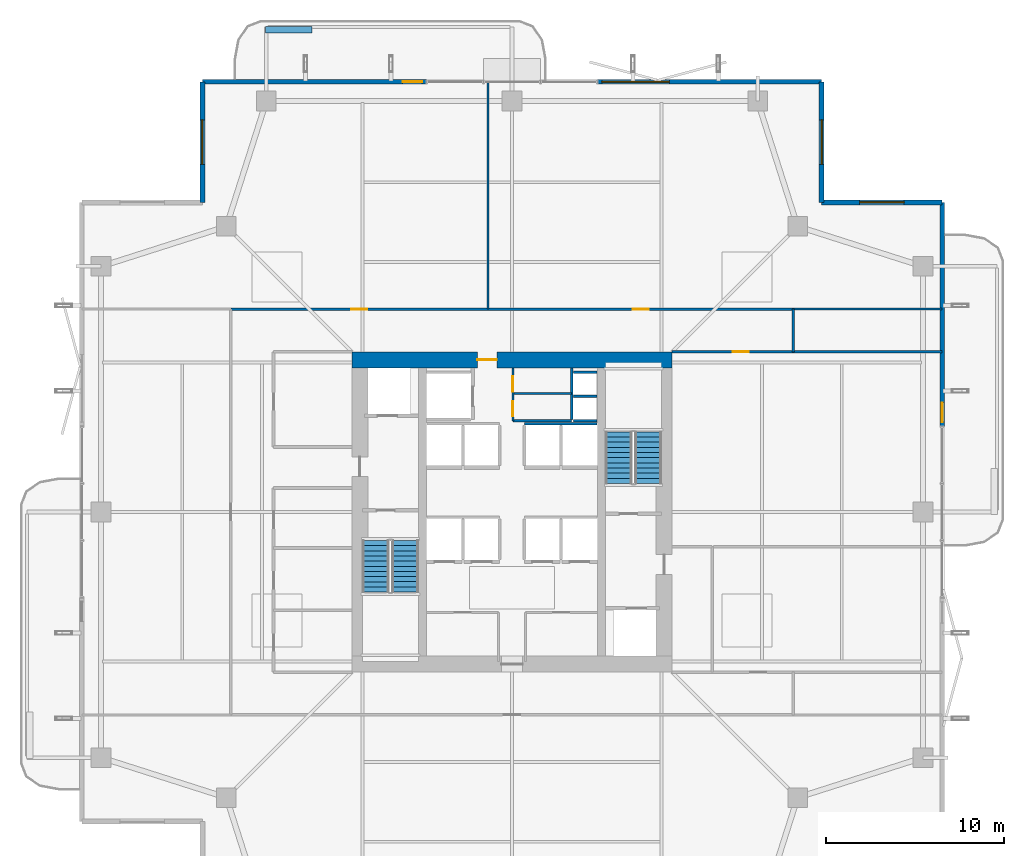
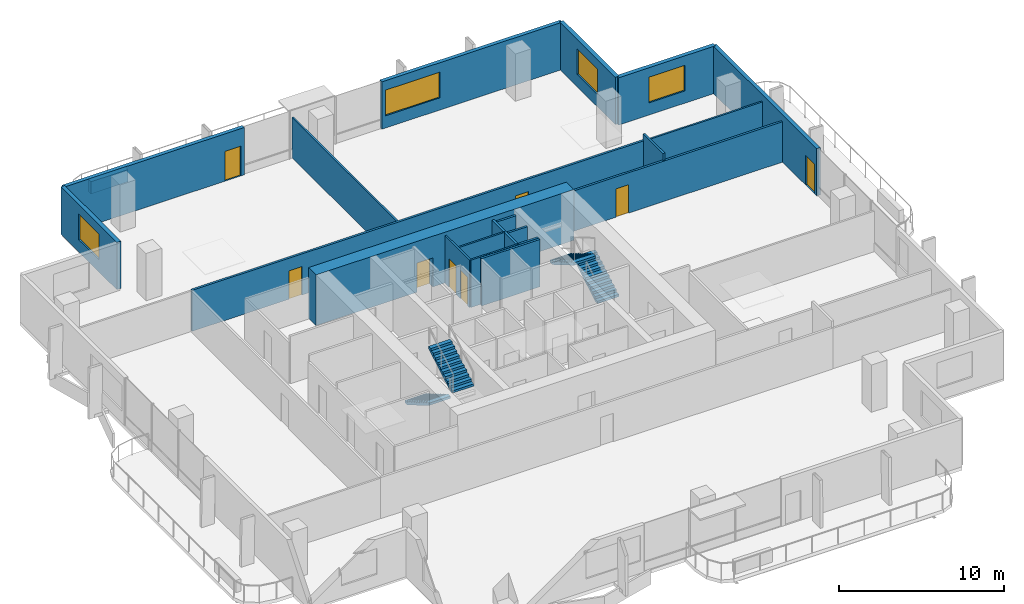
# One storey, part 20 of 25: 21 walls, 8 doors, 4 stair flights, 4 windows, 12 openings, 2 elements without a shape of their own.
"""IFC4 building model written with IfcOpenShell, lengths in metres."""

from ifc_helpers import new_model, si_unit, direction, frame, frame_2d, origin, place, context, subcontext, project, spatial, polyline, rectangle, outline, extrude, material, layer, layer_set, type_object, element, fill, aggregate, save


model = new_model("IFC4")

# Units and contexts
model_context = context("Model", 3, precision=1e-05, world=origin(), true_north=direction((0.0, 1.0)))
body_context = subcontext(model_context, "Body", "Model", "MODEL_VIEW")
ifc_project = project(units=[si_unit("LENGTHUNIT", "METRE"), si_unit("AREAUNIT", "SQUARE_METRE"), si_unit("VOLUMEUNIT", "CUBIC_METRE"), si_unit("PLANEANGLEUNIT", "RADIAN"), si_unit("MASSUNIT", "GRAM", prefix="KILO")], contexts=[model_context])

# Site, building, storey
site_placement = place(None, origin())
site = spatial("IfcSite", under=ifc_project, at=site_placement, CompositionType="ELEMENT")
building_placement = place(site_placement, origin())
building = spatial("IfcBuilding", under=site, at=building_placement, Name="Belovzor Exchange Tower", CompositionType="ELEMENT")
storey_placement = place(building_placement, frame((0.0, 0.0, 175.800048828125)))
storey = spatial("IfcBuildingStorey", under=building, at=storey_placement, Name="L43", CompositionType="ELEMENT", Elevation=175.800048828125)

# Walls
ifc_material_1 = material(Name="Acoustic Plasterboard on Galvanised Studs", Category="gypsum")
ifc_layer_1 = layer(ifc_material_1, 0.1201171875)
ifc_layer_set_1 = layer_set([ifc_layer_1], Name="Acoustic Plasterboard on Galvanised Studs")
wall_type_1 = type_object("IfcWallType", Name="Acoustic Double-Stud Partition Wall 120", PredefinedType="PARTITIONING", material=ifc_layer_set_1)
wall_1_placement = place(storey_placement, frame((27.449951171875, 40.199951171875, 0.0), z_axis=(0.0, 0.0, 1.0), x_axis=(0.0, 1.0, 0.0)))
element("IfcWall", 1, at=wall_1_placement, inside=storey, type_object=wall_type_1, Name="W-P120 Partition Wall W-L43-NDIV-1", PredefinedType="PARTITIONING", context=body_context, shape_type="SweptSolid", body=[
    extrude(rectangle(XDim=12.77001953125, YDim=0.1201171875, at=frame_2d((6.385009765625, 0.0))), origin(), (0.0, 0.0, 1.0), 2.97998046875),
])
wall_2_placement = place(storey_placement, frame((44.60009765625, 40.199951171875, 0.0), z_axis=(0.0, 0.0, 1.0), x_axis=(1.0, 0.0, 0.0)))
element("IfcWall", 2, at=wall_2_placement, inside=storey, type_object=wall_type_1, Name="W-P120 Partition Wall W-L43-END-NE", PredefinedType="PARTITIONING", context=body_context, shape_type="SweptSolid", body=[
    extrude(rectangle(XDim=8.369873046875, YDim=0.1201171875, at=frame_2d((4.18505859375, 0.0))), origin(), (0.0, 0.0, 1.0), 2.97998046875),
])

# Wall, openings, doors
ifc_material_2 = material(Name="Fire-Rated Plasterboard on Galvanised Studs", Category="gypsum")
ifc_layer_2 = layer(ifc_material_2, 0.1201171875)
ifc_layer_set_2 = layer_set([ifc_layer_2], Name="Fire-Rated Plasterboard on Galvanised Studs")
wall_type_2 = type_object("IfcWallType", Name="Fire-Rated Double-Stud Partition Wall 120", PredefinedType="PARTITIONING", material=ifc_layer_set_2)
wall_3_placement = place(storey_placement, frame((28.85009765625, 33.925048828125, 0.0), z_axis=(0.0, 0.0, 1.0), x_axis=(0.0, 1.0, 0.0)))
wall_3 = element("IfcWall", 3, at=wall_3_placement, inside=storey, type_object=wall_type_2, Name="W-P120F Partition Wall W-CRV-L43-W", PredefinedType="PARTITIONING", context=body_context, shape_type="SweptSolid", body=[
    extrude(rectangle(XDim=2.974853515625, YDim=0.1201171875, at=frame_2d((1.4873046875, 0.0))), origin(), (0.0, 0.0, 1.0), 3.494873046875),
])
opening_1_placement = place(wall_3_placement, frame((0.25, 0.0, 0.0)))
opening_1 = element("IfcOpeningElement", 4, at=opening_1_placement, cuts=wall_3, Name="Opening D-FD60-085", PredefinedType="OPENING", context=body_context, shape_type="SweptSolid", body=[
    extrude(rectangle(XDim=0.85009765625, YDim=2.10009765625, at=frame_2d((0.425048828125, 1.050048828125))), frame((0.0, 0.070068359375, 0.0), z_axis=(0.0, -1.0, 0.0), x_axis=(1.0, 0.0, 0.0)), (0.0, 0.0, 1.0), 0.14013671875),
])
opening_2_placement = place(wall_3_placement, frame((1.64501953125, 0.0, 0.0)))
opening_2 = element("IfcOpeningElement", 5, at=opening_2_placement, cuts=wall_3, Name="Opening D-FD60-085", PredefinedType="OPENING", context=body_context, shape_type="SweptSolid", body=[
    extrude(rectangle(XDim=0.85009765625, YDim=2.10009765625, at=frame_2d((0.425048828125, 1.050048828125))), frame((0.0, 0.070068359375, 0.0), z_axis=(0.0, -1.0, 0.0), x_axis=(1.0, 0.0, 0.0)), (0.0, 0.0, 1.0), 0.14013671875),
])
ifc_material_3 = material(Name="Fire-Rated Steel Access Leaf", Category="steel")
door_type_1 = type_object("IfcDoorType", Name="Riser & Meter Closet Access Fire Door 850x2100", OperationType="NOTDEFINED", PredefinedType="DOOR", material=ifc_material_3)
door_1_placement = place(opening_1_placement, origin())
door_1 = element("IfcDoor", 6, at=door_1_placement, inside=storey, type_object=door_type_1, Name="D-FD60-085 Riser & Meter Closet Access Fire Door 850x2100", OperationType="SINGLE_SWING_LEFT", OverallHeight=2.10009765625, OverallWidth=0.85009765625, PredefinedType="DOOR", context=body_context, shape_type="SweptSolid", body=[
    extrude(rectangle(XDim=0.85009765625, YDim=2.10009765625, at=frame_2d((0.425048828125, 1.050048828125))), frame((0.0, 0.02490234375, 0.0), z_axis=(0.0, -1.0, 0.0), x_axis=(1.0, 0.0, 0.0)), (0.0, 0.0, 1.0), 0.050048828125),
])
fill(opening_1, door_1)
door_2_placement = place(opening_2_placement, origin())
door_2 = element("IfcDoor", 7, at=door_2_placement, inside=storey, type_object=door_type_1, Name="D-FD60-085 Riser & Meter Closet Access Fire Door 850x2100", OperationType="SINGLE_SWING_RIGHT", OverallHeight=2.10009765625, OverallWidth=0.85009765625, PredefinedType="DOOR", context=body_context, shape_type="SweptSolid", body=[
    extrude(rectangle(XDim=0.85009765625, YDim=2.10009765625, at=frame_2d((0.425048828125, 1.050048828125))), frame((0.0, 0.02490234375, 0.0), z_axis=(0.0, -1.0, 0.0), x_axis=(1.0, 0.0, 0.0)), (0.0, 0.0, 1.0), 0.050048828125),
])
fill(opening_2, door_2)

# Walls
for number, where, z_axis, x_axis, name in (
    (8, (28.85009765625, 35.449951171875, 0.0), (0.0, 0.0, 1.0), (1.0, 0.0, 0.0), "W-P120F Partition Wall W-CRV-L43-M"),
    (9, (28.85009765625, 33.925048828125, 0.0), (0.0, 0.0, 1.0), (1.0, 0.0, 0.0), "W-P120F Partition Wall W-CRV-L43-S"),
):
    element("IfcWall", number, at=place(storey_placement, frame(where, z_axis=z_axis, x_axis=x_axis)), inside=storey, type_object=wall_type_2, Name=name, PredefinedType="PARTITIONING", context=body_context, shape_type="SweptSolid", body=[
        extrude(rectangle(XDim=3.2998046875, YDim=0.1201171875, at=frame_2d((1.64990234375, 0.0))), origin(), (0.0, 0.0, 1.0), 3.494873046875),
    ])
ifc_material_4 = material(Name="Fire-Rated Gypsum Block and Mineral Wool", Category="gypsum")
ifc_layer_3 = layer(ifc_material_4, 0.14990234375)
ifc_layer_set_3 = layer_set([ifc_layer_3], Name="Fire-Rated Gypsum Block and Mineral Wool")
wall_type_3 = type_object("IfcWallType", Name="Fire-Rated Gypsum Block Corridor Wall 150", PredefinedType="PARTITIONING", material=ifc_layer_set_3)
wall_4_placement = place(storey_placement, frame((44.60009765625, 37.800048828125, 0.0), z_axis=(0.0, 0.0, 1.0), x_axis=(0.0, 1.0, 0.0)))
element("IfcWall", 10, at=wall_4_placement, inside=storey, type_object=wall_type_3, Name="W-P150 Partition Wall W-L43-END-EN", PredefinedType="PARTITIONING", context=body_context, shape_type="SweptSolid", body=[
    extrude(rectangle(XDim=2.39990234375, YDim=0.14990234375, at=frame_2d((1.199951171875, 0.0))), origin(), (0.0, 0.0, 1.0), 3.494873046875),
])

# Wall, opening, door
wall_5_placement = place(storey_placement, frame((37.800048828125, 37.800048828125, 0.0), z_axis=(0.0, 0.0, 1.0), x_axis=(1.0, 0.0, 0.0)))
wall_5 = element("IfcWall", 11, at=wall_5_placement, inside=storey, type_object=wall_type_3, Name="W-P150 Partition Wall W-L43-CN-IN", PredefinedType="PARTITIONING", context=body_context, shape_type="SweptSolid", body=[
    extrude(rectangle(XDim=15.169921875, YDim=0.14990234375, at=frame_2d((7.5849609375, 0.0))), origin(), (0.0, 0.0, 1.0), 2.97998046875),
])
opening_3_placement = place(wall_5_placement, frame((3.39990234375, 0.0, 0.0)))
opening_3 = element("IfcOpeningElement", 12, at=opening_3_placement, cuts=wall_5, Name="Opening D-INT-090", PredefinedType="OPENING", context=body_context, shape_type="SweptSolid", body=[
    extrude(rectangle(XDim=0.89990234375, YDim=2.10009765625, at=frame_2d((0.449951171875, 1.050048828125))), frame((0.0, 0.0849609375, 0.0), z_axis=(0.0, -1.0, 0.0), x_axis=(1.0, 0.0, 0.0)), (0.0, 0.0, 1.0), 0.169921875),
])
ifc_material_5 = material(Name="Veneered Hardwood Acoustic Leaf", Category="wood")
door_type_2 = type_object("IfcDoorType", Name="Trading Suite Acoustic Single Door 900x2100", OperationType="NOTDEFINED", PredefinedType="DOOR", material=ifc_material_5)
door_3_placement = place(opening_3_placement, origin())
door_3 = element("IfcDoor", 13, at=door_3_placement, inside=storey, type_object=door_type_2, Name="D-INT-090 Trading Suite Acoustic Single Door 900x2100", OperationType="SINGLE_SWING_RIGHT", OverallHeight=2.10009765625, OverallWidth=0.89990234375, PredefinedType="DOOR", context=body_context, shape_type="SweptSolid", body=[
    extrude(rectangle(XDim=0.89990234375, YDim=2.10009765625, at=frame_2d((0.449951171875, 1.050048828125))), frame((0.0, 0.02490234375, 0.0), z_axis=(0.0, -1.0, 0.0), x_axis=(1.0, 0.0, 0.0)), (0.0, 0.0, 1.0), 0.050048828125),
])
fill(opening_3, door_3)

# Wall, openings, doors
wall_6_placement = place(storey_placement, frame((13.0, 40.199951171875, 0.0), z_axis=(0.0, 0.0, 1.0), x_axis=(1.0, 0.0, 0.0)))
wall_6 = element("IfcWall", 14, at=wall_6_placement, inside=storey, type_object=wall_type_3, Name="W-P150 Partition Wall W-L43-CN", PredefinedType="PARTITIONING", context=body_context, shape_type="SweptSolid", body=[
    extrude(rectangle(XDim=31.60009765625, YDim=0.14990234375, at=frame_2d((15.800048828125, 0.0))), origin(), (0.0, 0.0, 1.0), 3.030029296875),
])
opening_4_placement = place(wall_6_placement, frame((6.77490234375, 0.0, 0.0)))
opening_4 = element("IfcOpeningElement", 15, at=opening_4_placement, cuts=wall_6, Name="Opening D-INT-090", PredefinedType="OPENING", context=body_context, shape_type="SweptSolid", body=[
    extrude(rectangle(XDim=0.89990234375, YDim=2.10009765625, at=frame_2d((0.449951171875, 1.050048828125))), frame((0.0, 0.0849609375, 0.0), z_axis=(0.0, -1.0, 0.0), x_axis=(1.0, 0.0, 0.0)), (0.0, 0.0, 1.0), 0.169921875),
])
opening_5_placement = place(wall_6_placement, frame((22.574951171875, 0.0, 0.0)))
opening_5 = element("IfcOpeningElement", 16, at=opening_5_placement, cuts=wall_6, Name="Opening D-INT-090", PredefinedType="OPENING", context=body_context, shape_type="SweptSolid", body=[
    extrude(rectangle(XDim=0.89990234375, YDim=2.10009765625, at=frame_2d((0.449951171875, 1.050048828125))), frame((0.0, 0.0849609375, 0.0), z_axis=(0.0, -1.0, 0.0), x_axis=(1.0, 0.0, 0.0)), (0.0, 0.0, 1.0), 0.169921875),
])
door_4_placement = place(opening_4_placement, origin())
door_4 = element("IfcDoor", 17, at=door_4_placement, inside=storey, type_object=door_type_2, Name="D-INT-090 Trading Suite Acoustic Single Door 900x2100", OperationType="SINGLE_SWING_RIGHT", OverallHeight=2.10009765625, OverallWidth=0.89990234375, PredefinedType="DOOR", context=body_context, shape_type="SweptSolid", body=[
    extrude(rectangle(XDim=0.89990234375, YDim=2.10009765625, at=frame_2d((0.449951171875, 1.050048828125))), frame((0.0, 0.02490234375, 0.0), z_axis=(0.0, -1.0, 0.0), x_axis=(1.0, 0.0, 0.0)), (0.0, 0.0, 1.0), 0.050048828125),
])
fill(opening_4, door_4)
door_5_placement = place(opening_5_placement, origin())
door_5 = element("IfcDoor", 18, at=door_5_placement, inside=storey, type_object=door_type_2, Name="D-INT-090 Trading Suite Acoustic Single Door 900x2100", OperationType="SINGLE_SWING_LEFT", OverallHeight=2.10009765625, OverallWidth=0.89990234375, PredefinedType="DOOR", context=body_context, shape_type="SweptSolid", body=[
    extrude(rectangle(XDim=0.89990234375, YDim=2.10009765625, at=frame_2d((0.449951171875, 1.050048828125))), frame((0.0, 0.02490234375, 0.0), z_axis=(0.0, -1.0, 0.0), x_axis=(1.0, 0.0, 0.0)), (0.0, 0.0, 1.0), 0.050048828125),
])
fill(opening_5, door_5)

# Wall, opening, window
ifc_material_6 = material(Name="Precast concrete C40/50", Category="concrete")
ifc_layer_4 = layer(ifc_material_6, 0.280029296875)
ifc_layer_set_4 = layer_set([ifc_layer_4], Name="Precast concrete C40/50")
wall_type_4 = type_object("IfcWallType", Name="Precast Concrete Notched Corner Frame Wall 280", PredefinedType="SOLIDWALL", material=ifc_layer_set_4)
wall_7_placement = place(storey_placement, frame((11.39990234375, 46.199951171875, 0.0), z_axis=(0.0, 0.0, 1.0), x_axis=(0.0, 1.0, 0.0)))
wall_7 = element("IfcWall", 19, at=wall_7_placement, inside=storey, type_object=wall_type_4, Name="W-CRN280 Precast Concrete Notched Corner Frame Wall 280 L43", PredefinedType="SOLIDWALL", context=body_context, shape_type="SweptSolid", body=[
    extrude(rectangle(XDim=6.77001953125, YDim=0.280029296875, at=frame_2d((3.385009765625, 0.0))), origin(), (0.0, 0.0, 1.0), 3.494873046875),
])
opening_6_placement = place(wall_7_placement, frame((2.135009765625, 0.0, 0.89990234375)))
opening_6 = element("IfcOpeningElement", 20, at=opening_6_placement, cuts=wall_7, Name="Opening WN-CRN250", PredefinedType="OPENING", context=body_context, shape_type="SweptSolid", body=[
    extrude(rectangle(XDim=2.5, YDim=1.89990234375, at=frame_2d((1.25, 0.949951171875))), frame((0.0, 0.14990234375, 0.0), z_axis=(0.0, -1.0, 0.0), x_axis=(1.0, 0.0, 0.0)), (0.0, 0.0, 1.0), 0.300048828125),
])
ifc_material_7 = material(Name="Thermally Broken Aluminium and Triple Glazing", Category="aluminium")
window_type_1 = type_object("IfcWindowType", Name="Streamline Moderne Corner Wrap Ribbon Window 2500x1900", PartitioningType="SINGLE_PANEL", PredefinedType="WINDOW", material=ifc_material_7)
window_1_placement = place(opening_6_placement, origin())
window_1 = element("IfcWindow", 21, at=window_1_placement, inside=storey, type_object=window_type_1, Name="WN-CRN250 Streamline Moderne Corner Wrap Ribbon Window 2500x1900", OverallHeight=1.89990234375, OverallWidth=2.5, PartitioningType="SINGLE_PANEL", PredefinedType="WINDOW", context=body_context, shape_type="SweptSolid", body=[
    extrude(rectangle(XDim=2.5, YDim=1.89990234375, at=frame_2d((1.25, 0.949951171875))), frame((0.0, 0.030029296875, 0.0), z_axis=(0.0, -1.0, 0.0), x_axis=(1.0, 0.0, 0.0)), (0.0, 0.0, 1.0), 0.06005859375),
])
fill(opening_6, window_1)

wall_8_placement = place(storey_placement, frame((46.199951171875, 52.969970703125, 0.0), z_axis=(0.0, 0.0, 1.0), x_axis=(0.0, -1.0, 0.0)))
wall_8 = element("IfcWall", 22, at=wall_8_placement, inside=storey, type_object=wall_type_4, Name="W-CRN280 Precast Concrete Notched Corner Frame Wall 280 L43", PredefinedType="SOLIDWALL", context=body_context, shape_type="SweptSolid", body=[
    extrude(rectangle(XDim=6.77001953125, YDim=0.280029296875, at=frame_2d((3.385009765625, 0.0))), origin(), (0.0, 0.0, 1.0), 3.494873046875),
])
opening_7_placement = place(wall_8_placement, frame((2.135009765625, 0.0, 0.89990234375)))
opening_7 = element("IfcOpeningElement", 23, at=opening_7_placement, cuts=wall_8, Name="Opening WN-CRN250", PredefinedType="OPENING", context=body_context, shape_type="SweptSolid", body=[
    extrude(rectangle(XDim=2.5, YDim=1.89990234375, at=frame_2d((1.25, 0.949951171875))), frame((0.0, 0.14990234375, 0.0), z_axis=(0.0, -1.0, 0.0), x_axis=(1.0, 0.0, 0.0)), (0.0, 0.0, 1.0), 0.300048828125),
])
window_2_placement = place(opening_7_placement, origin())
window_2 = element("IfcWindow", 24, at=window_2_placement, inside=storey, type_object=window_type_1, Name="WN-CRN250 Streamline Moderne Corner Wrap Ribbon Window 2500x1900", OverallHeight=1.89990234375, OverallWidth=2.5, PartitioningType="SINGLE_PANEL", PredefinedType="WINDOW", context=body_context, shape_type="SweptSolid", body=[
    extrude(rectangle(XDim=2.5, YDim=1.89990234375, at=frame_2d((1.25, 0.949951171875))), frame((0.0, 0.030029296875, 0.0), z_axis=(0.0, -1.0, 0.0), x_axis=(1.0, 0.0, 0.0)), (0.0, 0.0, 1.0), 0.06005859375),
])
fill(opening_7, window_2)

wall_9_placement = place(storey_placement, frame((46.199951171875, 46.199951171875, 0.0), z_axis=(0.0, 0.0, 1.0), x_axis=(1.0, 0.0, 0.0)))
wall_9 = element("IfcWall", 25, at=wall_9_placement, inside=storey, type_object=wall_type_4, Name="W-CRN280 Precast Concrete Notched Corner Frame Wall 280 L43", PredefinedType="SOLIDWALL", context=body_context, shape_type="SweptSolid", body=[
    extrude(rectangle(XDim=6.77001953125, YDim=0.280029296875, at=frame_2d((3.385009765625, 0.0))), origin(), (0.0, 0.0, 1.0), 3.494873046875),
])
opening_8_placement = place(wall_9_placement, frame((2.135009765625, 0.0, 0.89990234375)))
opening_8 = element("IfcOpeningElement", 26, at=opening_8_placement, cuts=wall_9, Name="Opening WN-CRN250", PredefinedType="OPENING", context=body_context, shape_type="SweptSolid", body=[
    extrude(rectangle(XDim=2.5, YDim=1.89990234375, at=frame_2d((1.25, 0.949951171875))), frame((0.0, 0.14990234375, 0.0), z_axis=(0.0, -1.0, 0.0), x_axis=(1.0, 0.0, 0.0)), (0.0, 0.0, 1.0), 0.300048828125),
])
window_3_placement = place(opening_8_placement, origin())
window_3 = element("IfcWindow", 27, at=window_3_placement, inside=storey, type_object=window_type_1, Name="WN-CRN250 Streamline Moderne Corner Wrap Ribbon Window 2500x1900", OverallHeight=1.89990234375, OverallWidth=2.5, PartitioningType="SINGLE_PANEL", PredefinedType="WINDOW", context=body_context, shape_type="SweptSolid", body=[
    extrude(rectangle(XDim=2.5, YDim=1.89990234375, at=frame_2d((1.25, 0.949951171875))), frame((0.0, 0.030029296875, 0.0), z_axis=(0.0, -1.0, 0.0), x_axis=(1.0, 0.0, 0.0)), (0.0, 0.0, 1.0), 0.06005859375),
])
fill(opening_8, window_3)

# Wall, opening, door
ifc_material_8 = material(Name="Precast concrete C40/50", Category="concrete")
ifc_layer_5 = layer(ifc_material_8, 0.260009765625)
ifc_layer_set_5 = layer_set([ifc_layer_5], Name="Precast concrete C40/50")
wall_type_5 = type_object("IfcWallType", Name="Precast Concrete Perimeter Loggia Frame Wall 260", PredefinedType="SOLIDWALL", material=ifc_layer_set_5)
wall_10_placement = place(storey_placement, frame((11.39990234375, 52.969970703125, 0.0), z_axis=(0.0, 0.0, 1.0), x_axis=(1.0, 0.0, 0.0)))
wall_10 = element("IfcWall", 28, at=wall_10_placement, inside=storey, type_object=wall_type_5, Name="W-EXT260 Precast Concrete Perimeter Loggia Frame Wall 260 L43", PredefinedType="SOLIDWALL", context=body_context, shape_type="SweptSolid", body=[
    extrude(rectangle(XDim=12.60009765625, YDim=0.260009765625, at=frame_2d((6.300048828125, 0.0))), origin(), (0.0, 0.0, 1.0), 3.494873046875),
])
opening_9_placement = place(wall_10_placement, frame((11.25, 0.0, 0.0)))
opening_9 = element("IfcOpeningElement", 29, at=opening_9_placement, cuts=wall_10, Name="Opening D-BAL110", PredefinedType="OPENING", context=body_context, shape_type="SweptSolid", body=[
    extrude(rectangle(XDim=1.10009765625, YDim=2.199951171875, at=frame_2d((0.550048828125, 1.10009765625))), frame((0.0, 0.139892578125, 0.0), z_axis=(0.0, -1.0, 0.0), x_axis=(1.0, 0.0, 0.0)), (0.0, 0.0, 1.0), 0.280029296875),
])
ifc_material_9 = material(Name="Thermally Broken Anodised Aluminium and Laminated Glass", Category="aluminium")
door_type_3 = type_object("IfcDoorType", Name="Planted Loggia Terrace Glazed Door 1100x2200", OperationType="SINGLE_SWING_LEFT", PredefinedType="DOOR", material=ifc_material_9)
door_6_placement = place(opening_9_placement, origin())
door_6 = element("IfcDoor", 30, at=door_6_placement, inside=storey, type_object=door_type_3, Name="D-BAL110 Balcony Terrace Door L43 N", OperationType="SINGLE_SWING_RIGHT", OverallHeight=2.199951171875, OverallWidth=1.10009765625, PredefinedType="DOOR", context=body_context, shape_type="SweptSolid", body=[
    extrude(rectangle(XDim=1.10009765625, YDim=2.199951171875, at=frame_2d((0.550048828125, 1.10009765625))), frame((0.0, 0.02490234375, 0.0), z_axis=(0.0, -1.0, 0.0), x_axis=(1.0, 0.0, 0.0)), (0.0, 0.0, 1.0), 0.050048828125),
])
fill(opening_9, door_6)

# Wall, opening, window
wall_11_placement = place(storey_placement, frame((33.60009765625, 52.969970703125, 0.0), z_axis=(0.0, 0.0, 1.0), x_axis=(1.0, 0.0, 0.0)))
wall_11 = element("IfcWall", 31, at=wall_11_placement, inside=storey, type_object=wall_type_5, Name="W-EXT260 Precast Concrete Perimeter Loggia Frame Wall 260 L43", PredefinedType="SOLIDWALL", context=body_context, shape_type="SweptSolid", body=[
    extrude(rectangle(XDim=12.599853515625, YDim=0.260009765625, at=frame_2d((6.2998046875, 0.0))), origin(), (0.0, 0.0, 1.0), 3.494873046875),
])
opening_10_placement = place(wall_11_placement, frame((0.25, 0.0, 0.89990234375)))
opening_10 = element("IfcOpeningElement", 32, at=opening_10_placement, cuts=wall_11, Name="Opening WN-RIB380", PredefinedType="OPENING", context=body_context, shape_type="SweptSolid", body=[
    extrude(rectangle(XDim=3.800048828125, YDim=1.89990234375, at=frame_2d((1.89990234375, 0.949951171875))), frame((0.0, 0.139892578125, 0.0), z_axis=(0.0, -1.0, 0.0), x_axis=(1.0, 0.0, 0.0)), (0.0, 0.0, 1.0), 0.280029296875),
])
ifc_material_10 = material(Name="Thermally Broken Aluminium and Triple Glazing", Category="aluminium")
window_type_2 = type_object("IfcWindowType", Name="Streamline Moderne Horizontal Ribbon Window 3800x1900", PartitioningType="SINGLE_PANEL", PredefinedType="WINDOW", material=ifc_material_10)
window_4_placement = place(opening_10_placement, origin())
window_4 = element("IfcWindow", 33, at=window_4_placement, inside=storey, type_object=window_type_2, Name="WN-RIB380 Streamline Moderne Horizontal Ribbon Window 3800x1900", OverallHeight=1.89990234375, OverallWidth=3.800048828125, PartitioningType="SINGLE_PANEL", PredefinedType="WINDOW", context=body_context, shape_type="SweptSolid", body=[
    extrude(rectangle(XDim=3.800048828125, YDim=1.89990234375, at=frame_2d((1.89990234375, 0.949951171875))), frame((0.0, 0.030029296875, 0.0), z_axis=(0.0, -1.0, 0.0), x_axis=(1.0, 0.0, 0.0)), (0.0, 0.0, 1.0), 0.06005859375),
])
fill(opening_10, window_4)

# Wall, opening, door
wall_12_placement = place(storey_placement, frame((52.969970703125, 46.199951171875, 0.0), z_axis=(0.0, 0.0, 1.0), x_axis=(0.0, -1.0, 0.0)))
wall_12 = element("IfcWall", 34, at=wall_12_placement, inside=storey, type_object=wall_type_5, Name="W-EXT260 Precast Concrete Perimeter Loggia Frame Wall 260 L43", PredefinedType="SOLIDWALL", context=body_context, shape_type="SweptSolid", body=[
    extrude(rectangle(XDim=12.599853515625, YDim=0.260009765625, at=frame_2d((6.2998046875, 0.0))), origin(), (0.0, 0.0, 1.0), 3.494873046875),
])
opening_11_placement = place(wall_12_placement, frame((11.25, 0.0, 0.0)))
opening_11 = element("IfcOpeningElement", 35, at=opening_11_placement, cuts=wall_12, Name="Opening D-BAL110", PredefinedType="OPENING", context=body_context, shape_type="SweptSolid", body=[
    extrude(rectangle(XDim=1.10009765625, YDim=2.199951171875, at=frame_2d((0.550048828125, 1.10009765625))), frame((0.0, 0.139892578125, 0.0), z_axis=(0.0, -1.0, 0.0), x_axis=(1.0, 0.0, 0.0)), (0.0, 0.0, 1.0), 0.280029296875),
])
door_7_placement = place(opening_11_placement, origin())
door_7 = element("IfcDoor", 36, at=door_7_placement, inside=storey, type_object=door_type_3, Name="D-BAL110 Balcony Terrace Door L43 E", OperationType="SINGLE_SWING_LEFT", OverallHeight=2.199951171875, OverallWidth=1.10009765625, PredefinedType="DOOR", context=body_context, shape_type="SweptSolid", body=[
    extrude(rectangle(XDim=1.10009765625, YDim=2.199951171875, at=frame_2d((0.550048828125, 1.10009765625))), frame((0.0, 0.02490234375, 0.0), z_axis=(0.0, -1.0, 0.0), x_axis=(1.0, 0.0, 0.0)), (0.0, 0.0, 1.0), 0.050048828125),
])
fill(opening_11, door_7)

# Walls
ifc_material_11 = material(Name="Precast concrete C40/50", Category="concrete")
ifc_layer_6 = layer(ifc_material_11, 0.35009765625)
ifc_layer_set_6 = layer_set([ifc_layer_6], Name="Precast concrete C40/50")
wall_type_6 = type_object("IfcWallType", Name="Precast Concrete Structural Tree Planter Trough 350", PredefinedType="PARAPET", material=ifc_layer_set_6)
wall_13_placement = place(storey_placement, frame((14.949951171875, 55.89990234375, 0.0), z_axis=(0.0, 0.0, 1.0), x_axis=(1.0, 0.0, 0.0)))
element("IfcWall", 37, at=wall_13_placement, inside=storey, type_object=wall_type_6, Name="PT-350 Precast Concrete Structural Tree Planter Trough 350 L43", PredefinedType="PARAPET", context=body_context, shape_type="SweptSolid", body=[
    extrude(rectangle(XDim=2.60009765625, YDim=0.35009765625, at=frame_2d((1.300048828125, 0.0))), origin(), (0.0, 0.0, 1.0), 0.89990234375),
])
ifc_material_12 = material(Name="Concrete C50/60", Category="concrete")
ifc_layer_7 = layer(ifc_material_12, 0.14990234375)
ifc_layer_set_7 = layer_set([ifc_layer_7], Name="Concrete C50/60")
wall_type_7 = type_object("IfcWallType", Name="Reinforced Concrete Core Riser Shear Wall 150", PredefinedType="SHEAR", material=ifc_layer_set_7)
wall_14_placement = place(storey_placement, frame((32.14990234375, 34.0, 0.0), z_axis=(0.0, 0.0, 1.0), x_axis=(0.0, 1.0, 0.0)))
element("IfcWall", 38, at=wall_14_placement, inside=storey, type_object=wall_type_7, Name="W-C150S Core Shaft Wall W-RSR-L43-E", PredefinedType="SHEAR", context=body_context, shape_type="SweptSolid", body=[
    extrude(rectangle(XDim=2.89990234375, YDim=0.14990234375, at=frame_2d((1.449951171875, 0.0))), origin(), (0.0, 0.0, 1.0), 3.494873046875),
])
for number, where, z_axis, x_axis, name in (
    (39, (32.25, 33.925048828125, 0.0), (0.0, 0.0, 1.0), (1.0, 0.0, 0.0), "W-C150S Core Shaft Wall W-RSR-L43-S"),
    (40, (32.25, 35.300048828125, 0.0), (0.0, 0.0, 1.0), (1.0, 0.0, 0.0), "W-C150S Core Shaft Wall W-RSR-L43-M"),
    (41, (32.25, 36.64990234375, 0.0), (0.0, 0.0, 1.0), (1.0, 0.0, 0.0), "W-C150S Core Shaft Wall W-RSR-L43-N"),
):
    element("IfcWall", number, at=place(storey_placement, frame(where, z_axis=z_axis, x_axis=x_axis)), inside=storey, type_object=wall_type_7, Name=name, PredefinedType="SHEAR", context=body_context, shape_type="SweptSolid", body=[
        extrude(rectangle(XDim=1.330078125, YDim=0.14990234375, at=frame_2d((0.6650390625, 0.0))), origin(), (0.0, 0.0, 1.0), 3.494873046875),
    ])
wall_15_placement = place(storey_placement, frame((29.5, 33.760009765625, 0.0), z_axis=(0.0, 0.0, 1.0), x_axis=(1.0, 0.0, 0.0)))
element("IfcWall", 42, at=wall_15_placement, inside=storey, type_object=wall_type_7, Name="W-C150S Core Shaft Wall W-SHB-L43-PLH-NE", PredefinedType="SHEAR", context=body_context, shape_type="SweptSolid", body=[
    extrude(rectangle(XDim=4.080078125, YDim=0.14990234375, at=frame_2d((2.0400390625, 0.0))), origin(), (0.0, 0.0, 1.0), 3.494873046875),
])

# Wall, opening, door
ifc_material_13 = material(Name="Concrete C60/75", Category="concrete")
ifc_layer_8 = layer(ifc_material_13, 0.89990234375)
ifc_layer_set_8 = layer_set([ifc_layer_8], Name="Concrete C60/75")
wall_type_8 = type_object("IfcWallType", Name="Reinforced Concrete Core Shear Wall 900", PredefinedType="SHEAR", material=ifc_layer_set_8)
wall_16_placement = place(storey_placement, frame((19.800048828125, 37.35009765625, 0.0), z_axis=(0.0, 0.0, 1.0), x_axis=(1.0, 0.0, 0.0)))
wall_16 = element("IfcWall", 43, at=wall_16_placement, inside=storey, type_object=wall_type_8, Name="CW-S090 Core Shear Wall L43 N", PredefinedType="SHEAR", context=body_context, shape_type="SweptSolid", body=[
    extrude(rectangle(XDim=18.0, YDim=0.89990234375, at=frame_2d((9.0, 0.0))), origin(), (0.0, 0.0, 1.0), 3.75),
])
opening_12_placement = place(wall_16_placement, frame((7.050048828125, 0.0, 0.0)))
opening_12 = element("IfcOpeningElement", 44, at=opening_12_placement, cuts=wall_16, Name="Opening D-FD90-110", PredefinedType="OPENING", context=body_context, shape_type="SweptSolid", body=[
    extrude(rectangle(XDim=1.10009765625, YDim=2.14990234375, at=frame_2d((0.550048828125, 1.074951171875))), frame((0.0, 0.4599609375, 0.0), z_axis=(0.0, -1.0, 0.0), x_axis=(1.0, 0.0, 0.0)), (0.0, 0.0, 1.0), 0.919921875),
])
ifc_material_14 = material(Name="Fire-Rated Galvanised Steel Leaf", Category="steel")
door_type_4 = type_object("IfcDoorType", Name="Protected Escape Vestibule Fire Door 1100x2150", OperationType="NOTDEFINED", PredefinedType="DOOR", material=ifc_material_14)
door_8_placement = place(opening_12_placement, origin())
door_8 = element("IfcDoor", 45, at=door_8_placement, inside=storey, type_object=door_type_4, Name="D-FD90-110 Protected Escape Vestibule Fire Door 1100x2150", OperationType="SINGLE_SWING_RIGHT", OverallHeight=2.14990234375, OverallWidth=1.10009765625, PredefinedType="DOOR", context=body_context, shape_type="SweptSolid", body=[
    extrude(rectangle(XDim=1.10009765625, YDim=2.14990234375, at=frame_2d((0.550048828125, 1.074951171875))), frame((0.0, 0.02490234375, 0.0), z_axis=(0.0, -1.0, 0.0), x_axis=(1.0, 0.0, 0.0)), (0.0, 0.0, 1.0), 0.050048828125),
])
fill(opening_12, door_8)

# Stair, stair flights
ifc_material_15 = material(Name="Concrete C40/50", Category="concrete")
stair_type = type_object("IfcStairType", Name="Reinforced Concrete Dogleg Escape Stair 1350", PredefinedType="HALF_TURN_STAIR", material=ifc_material_15)
stair_1_placement = place(storey_placement, origin())
stair_1 = element("IfcStair", 46, at=stair_1_placement, inside=storey, type_object=stair_type, Name="L43 ST-1", PredefinedType="HALF_TURN_STAIR")
ifc_material_16 = material(Name="Concrete C40/50", Category="concrete")
stair_flight_type = type_object("IfcStairFlightType", Name="Reinforced Concrete Stair Flight 1350", PredefinedType="STRAIGHT", material=ifc_material_16)
stair_flight_1_placement = place(storey_placement, frame((21.14990234375, 27.199951171875, 0.0), z_axis=(0.0, 0.0, 1.0), x_axis=(0.0, -1.0, 0.0)))
stair_flight_1 = element("IfcStairFlight", 47, at=stair_flight_1_placement, type_object=stair_flight_type, Name="ST-1 flight 1", NumberOfRisers=11, NumberOfTreads=10, PredefinedType="STRAIGHT", RiserHeight=0.170454545, TreadLength=0.29, context=body_context, shape_type="SweptSolid", body=[
    extrude(outline(polyline([(0.0, 0.0), (0.0, 0.17041015625), (0.2900390625, 0.17041015625), (0.2900390625, 0.3408203125), (0.580078125, 0.3408203125), (0.580078125, 0.511474609375), (0.8701171875, 0.511474609375), (0.8701171875, 0.681884765625), (1.159912109375, 0.681884765625), (1.159912109375, 0.852294921875), (1.449951171875, 0.852294921875), (1.449951171875, 1.022705078125), (1.739990234375, 1.022705078125), (1.739990234375, 1.193115234375), (2.030029296875, 1.193115234375), (2.030029296875, 1.363525390625), (2.320068359375, 1.363525390625), (2.320068359375, 1.5341796875), (2.610107421875, 1.5341796875), (2.610107421875, 1.70458984375), (2.89990234375, 1.70458984375), (2.89990234375, 1.875), (2.89990234375, 1.53076171875), (0.2958984375, 0.0), (0.0, 0.0)])), frame((0.0, 0.75, 0.0), z_axis=(0.0, -1.0, 0.0), x_axis=(1.0, 0.0, 0.0)), (0.0, 0.0, 1.0), 1.5),
])
stair_flight_2_placement = place(storey_placement, frame((22.800048828125, 24.300048828125, 1.875), z_axis=(0.0, 0.0, 1.0), x_axis=(0.0, 1.0, 0.0)))
stair_flight_2 = element("IfcStairFlight", 48, at=stair_flight_2_placement, type_object=stair_flight_type, Name="ST-1 flight 2", NumberOfRisers=11, NumberOfTreads=10, PredefinedType="STRAIGHT", RiserHeight=0.170454545, TreadLength=0.29, context=body_context, shape_type="SweptSolid", body=[
    extrude(outline(polyline([(0.0, 0.0), (0.0, 0.17041015625), (0.2900390625, 0.17041015625), (0.2900390625, 0.3408203125), (0.580078125, 0.3408203125), (0.580078125, 0.511474609375), (0.8701171875, 0.511474609375), (0.8701171875, 0.681884765625), (1.159912109375, 0.681884765625), (1.159912109375, 0.852294921875), (1.449951171875, 0.852294921875), (1.449951171875, 1.022705078125), (1.739990234375, 1.022705078125), (1.739990234375, 1.193115234375), (2.030029296875, 1.193115234375), (2.030029296875, 1.363525390625), (2.320068359375, 1.363525390625), (2.320068359375, 1.5341796875), (2.610107421875, 1.5341796875), (2.610107421875, 1.70458984375), (2.89990234375, 1.70458984375), (2.89990234375, 1.875), (2.89990234375, 1.53076171875), (0.2958984375, 0.0), (0.0, 0.0)])), frame((0.0, 0.75, 0.0), z_axis=(0.0, -1.0, 0.0), x_axis=(1.0, 0.0, 0.0)), (0.0, 0.0, 1.0), 1.5),
])
aggregate(stair_1, [stair_flight_1, stair_flight_2])

stair_2_placement = place(storey_placement, origin())
stair_2 = element("IfcStair", 49, at=stair_2_placement, inside=storey, type_object=stair_type, Name="L43 ST-2", PredefinedType="HALF_TURN_STAIR")
stair_flight_3_placement = place(storey_placement, frame((36.449951171875, 30.39990234375, 0.0), z_axis=(0.0, 0.0, 1.0), x_axis=(0.0, 1.0, 0.0)))
stair_flight_3 = element("IfcStairFlight", 50, at=stair_flight_3_placement, type_object=stair_flight_type, Name="ST-2 flight 1", NumberOfRisers=11, NumberOfTreads=10, PredefinedType="STRAIGHT", RiserHeight=0.170454545, TreadLength=0.29, context=body_context, shape_type="SweptSolid", body=[
    extrude(outline(polyline([(0.0, 0.0), (0.0, 0.17041015625), (0.2900390625, 0.17041015625), (0.2900390625, 0.3408203125), (0.580078125, 0.3408203125), (0.580078125, 0.511474609375), (0.8701171875, 0.511474609375), (0.8701171875, 0.681884765625), (1.159912109375, 0.681884765625), (1.159912109375, 0.852294921875), (1.449951171875, 0.852294921875), (1.449951171875, 1.022705078125), (1.739990234375, 1.022705078125), (1.739990234375, 1.193115234375), (2.030029296875, 1.193115234375), (2.030029296875, 1.363525390625), (2.320068359375, 1.363525390625), (2.320068359375, 1.5341796875), (2.610107421875, 1.5341796875), (2.610107421875, 1.70458984375), (2.89990234375, 1.70458984375), (2.89990234375, 1.875), (2.89990234375, 1.53076171875), (0.2958984375, 0.0), (0.0, 0.0)])), frame((0.0, 0.75, 0.0), z_axis=(0.0, -1.0, 0.0), x_axis=(1.0, 0.0, 0.0)), (0.0, 0.0, 1.0), 1.5),
])
stair_flight_4_placement = place(storey_placement, frame((34.800048828125, 33.300048828125, 1.875), z_axis=(0.0, 0.0, 1.0), x_axis=(0.0, -1.0, 0.0)))
stair_flight_4 = element("IfcStairFlight", 51, at=stair_flight_4_placement, type_object=stair_flight_type, Name="ST-2 flight 2", NumberOfRisers=11, NumberOfTreads=10, PredefinedType="STRAIGHT", RiserHeight=0.170454545, TreadLength=0.29, context=body_context, shape_type="SweptSolid", body=[
    extrude(outline(polyline([(0.0, 0.0), (0.0, 0.17041015625), (0.2900390625, 0.17041015625), (0.2900390625, 0.3408203125), (0.580078125, 0.3408203125), (0.580078125, 0.511474609375), (0.8701171875, 0.511474609375), (0.8701171875, 0.681884765625), (1.159912109375, 0.681884765625), (1.159912109375, 0.852294921875), (1.449951171875, 0.852294921875), (1.449951171875, 1.022705078125), (1.739990234375, 1.022705078125), (1.739990234375, 1.193115234375), (2.030029296875, 1.193115234375), (2.030029296875, 1.363525390625), (2.320068359375, 1.363525390625), (2.320068359375, 1.5341796875), (2.610107421875, 1.5341796875), (2.610107421875, 1.70458984375), (2.89990234375, 1.70458984375), (2.89990234375, 1.875), (2.89990234375, 1.53076171875), (0.2958984375, 0.0), (0.0, 0.0)])), frame((0.0, 0.75, 0.0), z_axis=(0.0, -1.0, 0.0), x_axis=(1.0, 0.0, 0.0)), (0.0, 0.0, 1.0), 1.5),
])
aggregate(stair_2, [stair_flight_3, stair_flight_4])

save(model, "model.ifc")
